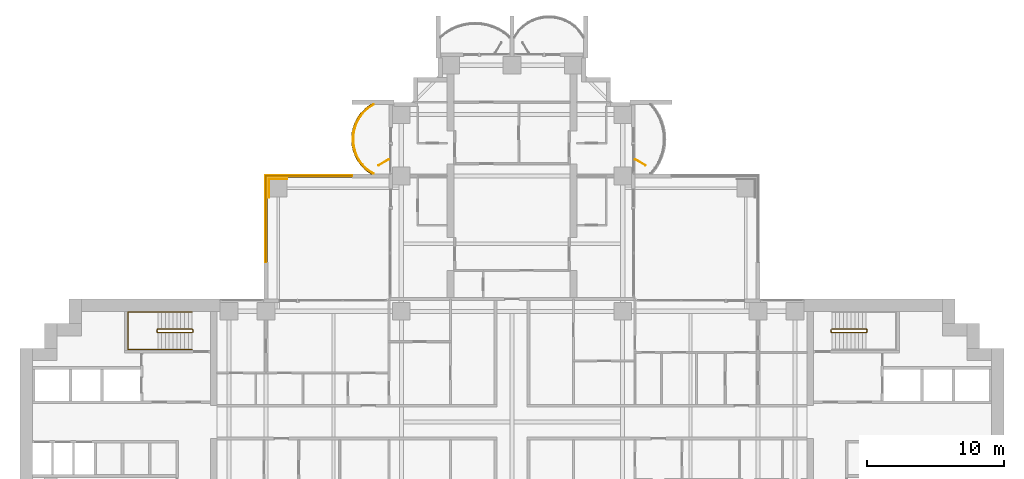
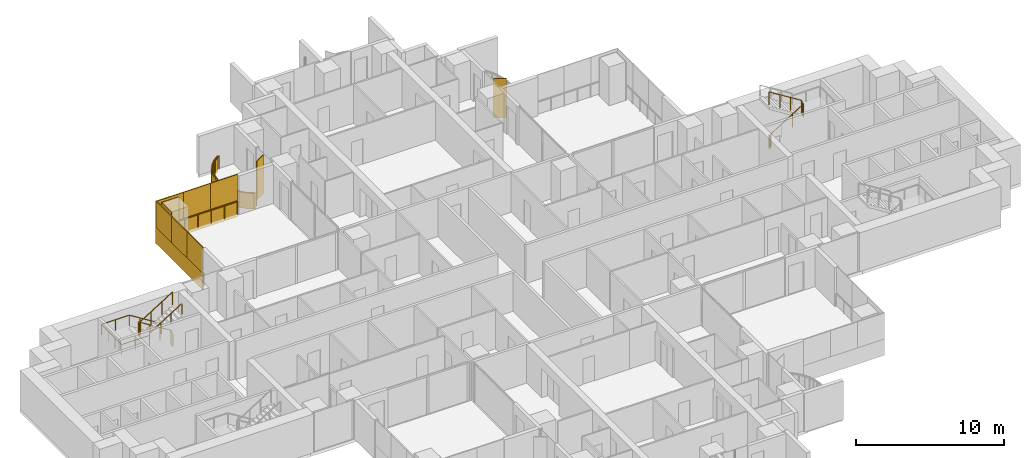
# One storey, part 19 of 21: 10 coverings, 5 railings, 2 shading devices.
"""IFC4 building model written with IfcOpenShell, lengths in metres."""

import ifcopenshell
import ifcopenshell.guid

model = None  # the IFC model being written
_history = None  # IfcOwnerHistory: only IFC2X3 demands one
_inside = {}  # id of a spatial element -> (the spatial element, [elements in it])
_under = {}  # id of a project, library or spatial element -> (it, [spatial elements below it])
_declared = {}  # id of a project -> (the project, [libraries it declares])
_typed = {}  # id of a type object -> (the type object, [elements of that type])
_made_of = {}  # id of a material, layer set ... -> (it, [elements and type objects made of it])


def new_model(schema):
    """Start an empty IFC model of exactly this schema.

    Asked for "IFC4X3", IfcOpenShell would pick the latest addendum, in which some entities
    have other attributes; the version numbers below select the first issue.
    IFC2X3 requires an IfcOwnerHistory on every rooted entity: one is made here for all.
    """
    global model, _history
    if schema == "IFC4X3":
        model = ifcopenshell.file(schema_version=(4, 3, 0, 0))
    else:
        model = ifcopenshell.file(schema=schema)
    _inside.clear()
    _under.clear()
    _declared.clear()
    _typed.clear()
    _made_of.clear()
    _history = None
    if model.schema == "IFC2X3":
        org = make("IfcOrganization", Name="unknown")
        user = make(
            "IfcPersonAndOrganization",
            ThePerson=make("IfcPerson", FamilyName="unknown"),
            TheOrganization=org,
        )
        app = make(
            "IfcApplication",
            ApplicationDeveloper=org,
            Version="unknown",
            ApplicationFullName="unknown",
            ApplicationIdentifier="unknown",
        )
        _history = make(
            "IfcOwnerHistory",
            OwningUser=user,
            OwningApplication=app,
            ChangeAction="ADDED",
            CreationDate=0,
        )
    return model


def make(cls, **values):
    """One entity of the class cls with the attributes given. An attribute that is None is left unset."""
    return model.create_entity(
        cls, **{name: value for name, value in values.items() if value is not None}
    )


def rooted(cls, **values):
    """An entity with a GlobalId (a new one), such as an element, a storey or a relation."""
    return make(cls, GlobalId=ifcopenshell.guid.new(), OwnerHistory=_history, **values)


def si_unit(unit_type, name, prefix=None):
    """IfcSIUnit, for example si_unit("LENGTHUNIT", "METRE", prefix="MILLI")."""
    return make("IfcSIUnit", UnitType=unit_type, Prefix=prefix, Name=name)


def assignment(units):
    """IfcUnitAssignment: the units of a project."""
    return None if units is None else make("IfcUnitAssignment", Units=units)


def point(xyz):
    """IfcCartesianPoint."""
    return None if xyz is None else make("IfcCartesianPoint", Coordinates=xyz)


def direction(xyz):
    """IfcDirection."""
    return None if xyz is None else make("IfcDirection", DirectionRatios=xyz)


def frame(location, z_axis=None, x_axis=None):
    """IfcAxis2Placement3D, a coordinate frame: its origin and axes. An axis left out is left unset."""
    return make(
        "IfcAxis2Placement3D",
        Location=point(location),
        Axis=direction(z_axis),
        RefDirection=direction(x_axis),
    )


def frame_2d(location, x_axis=None):
    """IfcAxis2Placement2D, a coordinate frame in the plane: its origin and x axis."""
    return make(
        "IfcAxis2Placement2D", Location=point(location), RefDirection=direction(x_axis)
    )


def origin():
    """The frame at (0, 0, 0) with its axes left unset."""
    return frame((0.0, 0.0, 0.0))


def origin_2d():
    """The frame at (0, 0) in the plane with its x axis left unset."""
    return frame_2d((0.0, 0.0))


def place(relative_to, where):
    """IfcLocalPlacement: puts the frame where relative to a parent placement (None: the world)."""
    return make(
        "IfcLocalPlacement", PlacementRelTo=relative_to, RelativePlacement=where
    )


def context(
    kind, dimensions, precision=None, world=None, true_north=None, identifier=None
):
    """IfcGeometricRepresentationContext, for example the 3D "Model" context."""
    return make(
        "IfcGeometricRepresentationContext",
        ContextIdentifier=identifier,
        ContextType=kind,
        CoordinateSpaceDimension=dimensions,
        Precision=precision,
        WorldCoordinateSystem=world,
        TrueNorth=true_north,
    )


def subcontext(parent, identifier, kind, view, scale=None):
    """IfcGeometricRepresentationSubContext, for example "Body" below "Model"."""
    return make(
        "IfcGeometricRepresentationSubContext",
        ContextIdentifier=identifier,
        ContextType=kind,
        ParentContext=parent,
        TargetScale=scale,
        TargetView=view,
    )


def project(units=None, contexts=None):
    """IfcProject with its units and contexts."""
    return rooted(
        "IfcProject",
        Name="project",
        RepresentationContexts=contexts,
        UnitsInContext=assignment(units),
    )


def spatial(cls, under=None, at=None, **own):
    """A site, building, storey or space (cls), placed at a placement, below another one or the project."""
    s = rooted(cls, ObjectPlacement=at, **own)
    if under is not None:
        _under.setdefault(under.id(), (under, []))[1].append(s)
    return s


def polyline(points):
    """IfcPolyline through the points."""
    return make("IfcPolyline", Points=[point(p) for p in points])


def profile(cls, at=None, kind="AREA", **sizes):
    """A parametric profile (cls). Its sizes go by their IFC names, for example OverallWidth=200.0."""
    return make(cls, ProfileType=kind, Position=at, **sizes)


def rectangle(**sizes):
    """IfcRectangleProfileDef."""
    return profile("IfcRectangleProfileDef", **sizes)


def outline(outer, holes=None, kind="AREA"):
    """IfcArbitraryClosedProfileDef: a profile drawn as a closed curve; with holes, ...WithVoids."""
    if holes is None:
        return make("IfcArbitraryClosedProfileDef", ProfileType=kind, OuterCurve=outer)
    return make(
        "IfcArbitraryProfileDefWithVoids",
        ProfileType=kind,
        OuterCurve=outer,
        InnerCurves=holes,
    )


def extrude(swept, where, along, depth):
    """IfcExtrudedAreaSolid: the profile swept, set in the frame where, extruded along a direction by depth."""
    return make(
        "IfcExtrudedAreaSolid",
        SweptArea=swept,
        Position=where,
        ExtrudedDirection=direction(along),
        Depth=depth,
    )


def shape(context_of_items, identifier, shape_type, items):
    """IfcShapeRepresentation: the items that make up one representation, for example the "Body"."""
    return make(
        "IfcShapeRepresentation",
        ContextOfItems=context_of_items,
        RepresentationIdentifier=identifier,
        RepresentationType=shape_type,
        Items=items,
    )


def material(Name=None, Category=None):
    """IfcMaterial."""
    return make("IfcMaterial", Name=Name, Category=Category)


def layer(
    of_material, thickness, ventilated=None, Name=None, Category=None, Priority=None
):
    """IfcMaterialLayer: one layer of a wall or slab, of a material (None: an air gap)."""
    return make(
        "IfcMaterialLayer",
        Material=of_material,
        LayerThickness=thickness,
        IsVentilated=ventilated,
        Name=Name,
        Category=Category,
        Priority=Priority,
    )


def layer_set(layers, Name=None):
    """IfcMaterialLayerSet."""
    return make("IfcMaterialLayerSet", MaterialLayers=layers, LayerSetName=Name)


def made_of(thing, what):
    """Note that an element or type object is made of a material, layer set ...; save() writes the relation."""
    if what is not None:
        _made_of.setdefault(what.id(), (what, []))[1].append(thing)
    return thing


def type_object(cls, material=None, **own):
    """A type object (cls), such as IfcWallType, which elements share."""
    return made_of(rooted(cls, **own), material)


def element(
    cls,
    number,
    at=None,
    inside=None,
    cuts=None,
    type_object=None,
    material=None,
    context=None,
    identifier="Body",
    shape_type=None,
    held_by="IfcProductDefinitionShape",
    body=None,
    shapes=None,
    **own,
):
    """One element of the class cls, such as IfcWall. Its Tag is "e" and its number.

    at: its placement. inside: the storey or other place that contains it. cuts: it is an
    opening in that element (IfcRelVoidsElement). A single representation is given by context,
    identifier, shape_type and body (its items); several are given by shapes. held_by: the class
    of the entity that holds the representations. save() writes the other relations.
    """
    e = rooted(cls, Tag="e%d" % number, ObjectPlacement=at, **own)
    if body is not None:
        shapes = [shape(context, identifier, shape_type, body)]
    if shapes is not None:
        e.Representation = make(held_by, Representations=shapes)
    if inside is not None:
        _inside.setdefault(inside.id(), (inside, []))[1].append(e)
    if cuts is not None:
        rooted(
            "IfcRelVoidsElement", RelatingBuildingElement=cuts, RelatedOpeningElement=e
        )
    if type_object is not None:
        _typed.setdefault(type_object.id(), (type_object, []))[1].append(e)
    return made_of(e, material)


def aggregate(whole, parts):
    """IfcRelAggregates: a whole, such as a stair, and the parts it consists of."""
    return rooted("IfcRelAggregates", RelatingObject=whole, RelatedObjects=parts)


def save(model, path):
    """Write the relations noted so far, then the file.

    IfcRelAggregates (storeys below a building ...), IfcRelContainedInSpatialStructure (elements
    in a storey), IfcRelDefinesByType, IfcRelAssociatesMaterial and IfcRelDeclares: one each for
    every whole, place, type object, material and project.
    """
    for whole, parts in _under.values():
        aggregate(whole, parts)
    for where, things in _inside.values():
        rooted(
            "IfcRelContainedInSpatialStructure",
            RelatedElements=things,
            RelatingStructure=where,
        )
    for kind, things in _typed.values():
        rooted("IfcRelDefinesByType", RelatedObjects=things, RelatingType=kind)
    for what, things in _made_of.values():
        rooted("IfcRelAssociatesMaterial", RelatedObjects=things, RelatingMaterial=what)
    for by, libraries in _declared.values():
        rooted("IfcRelDeclares", RelatingContext=by, RelatedDefinitions=libraries)
    model.write(path)


model = new_model("IFC4")

# Units and contexts
model_context = context("Model", 3, precision=1e-05, world=origin(), true_north=direction((0.0, 1.0)))
body_context = subcontext(model_context, "Body", "Model", "MODEL_VIEW")
ifc_project = project(units=[si_unit("LENGTHUNIT", "METRE"), si_unit("AREAUNIT", "SQUARE_METRE"), si_unit("VOLUMEUNIT", "CUBIC_METRE"), si_unit("PLANEANGLEUNIT", "RADIAN"), si_unit("MASSUNIT", "GRAM", prefix="KILO")], contexts=[model_context])

# Site, building, storey
site_placement = place(None, origin())
site = spatial("IfcSite", under=ifc_project, at=site_placement, CompositionType="ELEMENT")
building_placement = place(site_placement, origin())
building = spatial("IfcBuilding", under=site, at=building_placement, Name="Perihelion Cross Residences", CompositionType="ELEMENT")
storey_placement = place(building_placement, frame((0.0, 0.0, 89.0)))
storey = spatial("IfcBuildingStorey", under=building, at=storey_placement, Name="L20", CompositionType="ELEMENT", Elevation=89.0)

# Covering
ifc_material_1 = material(Name="Bronze anodised aluminium", Category="aluminium")
ifc_layer_1 = layer(ifc_material_1, 0.070068359375)
ifc_layer_set_1 = layer_set([ifc_layer_1], Name="Balcony fascia 1300")
covering_type_1 = type_object("IfcCoveringType", Name="Balcony fascia 1300", PredefinedType="CLADDING", material=ifc_layer_set_1)
covering_1_placement = place(storey_placement, frame((0.0, 0.0, -0.199951171875)))
element("IfcCovering", 1, at=covering_1_placement, inside=storey, type_object=covering_type_1, Name="Fascia BF1 L20 north side west bay 1", PredefinedType="CLADDING", context=body_context, shape_type="SweptSolid", body=[
    extrude(outline(polyline([(-10.722412109375, 22.963134765625), (-11.060791015625, 22.61474609375), (-11.308837890625, 22.2666015625), (-11.4912109375, 21.91845703125), (-11.620361328125, 21.5703125), (-11.703369140625, 21.22216796875), (-11.743896484375, 20.8740234375), (-11.743896484375, 20.52587890625), (-11.703369140625, 20.177734375), (-11.620361328125, 19.82958984375), (-11.4912109375, 19.4814453125), (-11.308837890625, 19.13330078125), (-11.060791015625, 18.78515625), (-10.722412109375, 18.43701171875), (-10.320556640625, 18.14990234375), (-10.199951171875, 18.14990234375), (-10.6767578125, 18.489990234375), (-11.007080078125, 18.830078125), (-11.2490234375, 19.169921875), (-11.42724609375, 19.510009765625), (-11.553466796875, 19.85009765625), (-11.63427734375, 20.18994140625), (-11.674072265625, 20.530029296875), (-11.674072265625, 20.8701171875), (-11.63427734375, 21.2099609375), (-11.553466796875, 21.550048828125), (-11.42724609375, 21.889892578125), (-11.2490234375, 22.22998046875), (-11.007080078125, 22.570068359375), (-10.6767578125, 22.909912109375), (-10.199951171875, 23.25), (-10.320556640625, 23.25), (-10.722412109375, 22.963134765625)])), origin(), (0.0, 0.0, 1.0), 1.300048828125),
])

# Railings
ifc_material_2 = material(Name="Bronze anodised aluminium", Category="aluminium")
railing_type_1 = type_object("IfcRailingType", Name="Balcony guard 1100", PredefinedType="GUARDRAIL", material=ifc_material_2)
railing_1_placement = place(storey_placement, frame((-10.139892578125, 23.22509765625, 0.0)))
element("IfcRailing", 2, at=railing_1_placement, inside=storey, type_object=railing_type_1, Name="Guard GU1 L20 north side west bay 1 balcony", PredefinedType="GUARDRAIL", context=body_context, shape_type="SweptSolid", body=[
    extrude(rectangle(XDim=0.048095703125, YDim=0.048095703125, at=origin_2d()), frame((0.0, 0.0, 1.076171875), z_axis=(-0.834212513801, -0.55144309028, 0.0), x_axis=(0.55144309028, -0.834212513801, 0.0)), (0.0, 0.0, 1.0), 0.571533203125),
    extrude(rectangle(XDim=0.048095703125, YDim=0.048095703125, at=origin_2d()), frame((-0.476806640625, -0.315185546875, 1.076171875), z_axis=(-0.696990112603, -0.717080736691, 0.0), x_axis=(0.717080736691, -0.696990112603, 0.0)), (0.0, 0.0, 1.0), 0.473876953125),
    extrude(rectangle(XDim=0.048095703125, YDim=0.048095703125, at=origin_2d()), frame((-0.80712890625, -0.655029296875, 1.076171875), z_axis=(-0.580075995532, -0.814562360662, 0.0), x_axis=(0.814562360662, -0.580075995532, 0.0)), (0.0, 0.0, 1.0), 0.41748046875),
    extrude(rectangle(XDim=0.048095703125, YDim=0.048095703125, at=origin_2d()), frame((-1.04931640625, -0.9951171875, 1.076171875), z_axis=(-0.463674228502, -0.886005761733, 0.0), x_axis=(0.886005761733, -0.463674228502, 0.0)), (0.0, 0.0, 1.0), 0.3837890625),
    extrude(rectangle(XDim=0.048095703125, YDim=0.048095703125, at=origin_2d()), frame((-1.227294921875, -1.335205078125, 1.076171875), z_axis=(-0.348169621027, -0.937431552165, 0.0), x_axis=(0.937431552165, -0.348169621027, 0.0)), (0.0, 0.0, 1.0), 0.362548828125),
    extrude(rectangle(XDim=0.048095703125, YDim=0.048095703125, at=origin_2d()), frame((-1.353515625, -1.675048828125, 1.076171875), z_axis=(-0.231840805498, -0.972753741142, 0.0), x_axis=(0.972753741142, -0.231840805498, 0.0)), (0.0, 0.0, 1.0), 0.349609375),
    extrude(rectangle(XDim=0.048095703125, YDim=0.048095703125, at=origin_2d()), frame((-1.4345703125, -2.01513671875, 1.076171875), z_axis=(-0.11559909788, -0.993295952156, 0.0), x_axis=(0.993295952156, -0.11559909788, 0.0)), (0.0, 0.0, 1.0), 0.342041015625),
    extrude(rectangle(XDim=0.048095703125, YDim=0.048095703125, at=origin_2d()), frame((-1.47412109375, -2.35498046875, 1.076171875), z_axis=(0.0, -1.0, 0.0), x_axis=(1.0, 0.0, 0.0)), (0.0, 0.0, 1.0), 0.340087890625),
    extrude(rectangle(XDim=0.048095703125, YDim=0.048095703125, at=origin_2d()), frame((-1.47412109375, -2.695068359375, 1.076171875), z_axis=(0.11551721994, -0.993305477634, 0.0), x_axis=(0.993305477634, 0.11551721994, 0.0)), (0.0, 0.0, 1.0), 0.34228515625),
    extrude(rectangle(XDim=0.048095703125, YDim=0.048095703125, at=origin_2d()), frame((-1.4345703125, -3.03515625, 1.076171875), z_axis=(0.231998396458, -0.972716168284, 0.0), x_axis=(0.972716168284, 0.231998396458, 0.0)), (0.0, 0.0, 1.0), 0.349365234375),
    extrude(rectangle(XDim=0.048095703125, YDim=0.048095703125, at=origin_2d()), frame((-1.353515625, -3.375, 1.076171875), z_axis=(0.347949948587, -0.93751311099, 0.0), x_axis=(0.93751311099, 0.347949948587, 0.0)), (0.0, 0.0, 1.0), 0.36279296875),
    extrude(rectangle(XDim=0.048095703125, YDim=0.048095703125, at=origin_2d()), frame((-1.227294921875, -3.715087890625, 1.076171875), z_axis=(0.463674228502, -0.886005761733, 0.0), x_axis=(0.886005761733, 0.463674228502, 0.0)), (0.0, 0.0, 1.0), 0.3837890625),
    extrude(rectangle(XDim=0.048095703125, YDim=0.048095703125, at=origin_2d()), frame((-1.04931640625, -4.05517578125, 1.076171875), z_axis=(0.580352394782, -0.814365457194, 0.0), x_axis=(0.814365457194, 0.580352394782, 0.0)), (0.0, 0.0, 1.0), 0.417236328125),
    extrude(rectangle(XDim=0.048095703125, YDim=0.048095703125, at=origin_2d()), frame((-0.80712890625, -4.39501953125, 1.076171875), z_axis=(0.69673269466, -0.717330852669, 0.0), x_axis=(0.717330852669, 0.69673269466, 0.0)), (0.0, 0.0, 1.0), 0.47412109375),
    extrude(rectangle(XDim=0.048095703125, YDim=0.048095703125, at=origin_2d()), frame((-0.476806640625, -4.735107421875, 1.076171875), z_axis=(0.834409002258, -0.551145731138, 0.0), x_axis=(0.551145731138, 0.834409002258, 0.0)), (0.0, 0.0, 1.0), 0.571533203125),
    extrude(rectangle(XDim=0.0419921875, YDim=0.0419921875, at=origin_2d()), origin(), (0.0, 0.0, 1.0), 1.052001953125),
    extrude(rectangle(XDim=0.0419921875, YDim=0.0419921875, at=origin_2d()), frame((-0.476806640625, -0.315185546875, 0.0)), (0.0, 0.0, 1.0), 1.052001953125),
    extrude(rectangle(XDim=0.0419921875, YDim=0.0419921875, at=origin_2d()), frame((-0.80712890625, -0.655029296875, 0.0)), (0.0, 0.0, 1.0), 1.052001953125),
    extrude(rectangle(XDim=0.0419921875, YDim=0.0419921875, at=origin_2d()), frame((-1.04931640625, -0.9951171875, 0.0)), (0.0, 0.0, 1.0), 1.052001953125),
    extrude(rectangle(XDim=0.0419921875, YDim=0.0419921875, at=origin_2d()), frame((-1.227294921875, -1.335205078125, 0.0)), (0.0, 0.0, 1.0), 1.052001953125),
    extrude(rectangle(XDim=0.0419921875, YDim=0.0419921875, at=origin_2d()), frame((-1.353515625, -1.675048828125, 0.0)), (0.0, 0.0, 1.0), 1.052001953125),
    extrude(rectangle(XDim=0.0419921875, YDim=0.0419921875, at=origin_2d()), frame((-1.4345703125, -2.01513671875, 0.0)), (0.0, 0.0, 1.0), 1.052001953125),
    extrude(rectangle(XDim=0.0419921875, YDim=0.0419921875, at=origin_2d()), frame((-1.47412109375, -2.35498046875, 0.0)), (0.0, 0.0, 1.0), 1.052001953125),
    extrude(rectangle(XDim=0.0419921875, YDim=0.0419921875, at=origin_2d()), frame((-1.47412109375, -2.695068359375, 0.0)), (0.0, 0.0, 1.0), 1.052001953125),
    extrude(rectangle(XDim=0.0419921875, YDim=0.0419921875, at=origin_2d()), frame((-1.4345703125, -3.03515625, 0.0)), (0.0, 0.0, 1.0), 1.052001953125),
    extrude(rectangle(XDim=0.0419921875, YDim=0.0419921875, at=origin_2d()), frame((-1.353515625, -3.375, 0.0)), (0.0, 0.0, 1.0), 1.052001953125),
    extrude(rectangle(XDim=0.0419921875, YDim=0.0419921875, at=origin_2d()), frame((-1.227294921875, -3.715087890625, 0.0)), (0.0, 0.0, 1.0), 1.052001953125),
    extrude(rectangle(XDim=0.0419921875, YDim=0.0419921875, at=origin_2d()), frame((-1.04931640625, -4.05517578125, 0.0)), (0.0, 0.0, 1.0), 1.052001953125),
    extrude(rectangle(XDim=0.0419921875, YDim=0.0419921875, at=origin_2d()), frame((-0.80712890625, -4.39501953125, 0.0)), (0.0, 0.0, 1.0), 1.052001953125),
    extrude(rectangle(XDim=0.0419921875, YDim=0.0419921875, at=origin_2d()), frame((-0.476806640625, -4.735107421875, 0.0)), (0.0, 0.0, 1.0), 1.052001953125),
    extrude(rectangle(XDim=0.0419921875, YDim=0.0419921875, at=origin_2d()), frame((0.0, -5.050048828125, 0.0)), (0.0, 0.0, 1.0), 1.052001953125),
])
railing_2_placement = place(storey_placement, frame((-17.93994140625, 11.739990234375, 0.0)))
element("IfcRailing", 3, at=railing_2_placement, inside=storey, type_object=railing_type_1, Name="Guard GU1 L20 pocket north-west 1", PredefinedType="GUARDRAIL", context=body_context, shape_type="SweptSolid", body=[
    extrude(rectangle(XDim=0.048095703125, YDim=0.048095703125, at=origin_2d()), frame((0.0, 0.0, 1.076171875), z_axis=(0.0, 1.0, 0.0), x_axis=(-1.0, 0.0, 0.0)), (0.0, 0.0, 1.0), 6.199951171875),
    extrude(rectangle(XDim=0.048095703125, YDim=0.048095703125, at=origin_2d()), frame((0.0, 6.199951171875, 1.076171875), z_axis=(1.0, 0.0, 0.0), x_axis=(0.0, 1.0, 0.0)), (0.0, 0.0, 1.0), 6.199951171875),
    extrude(rectangle(XDim=0.0419921875, YDim=0.0419921875, at=origin_2d()), origin(), (0.0, 0.0, 1.0), 1.052001953125),
    extrude(rectangle(XDim=0.0419921875, YDim=0.0419921875, at=origin_2d()), frame((0.0, 1.033203125, 0.0)), (0.0, 0.0, 1.0), 1.052001953125),
    extrude(rectangle(XDim=0.0419921875, YDim=0.0419921875, at=origin_2d()), frame((0.0, 2.066650390625, 0.0)), (0.0, 0.0, 1.0), 1.052001953125),
    extrude(rectangle(XDim=0.0419921875, YDim=0.0419921875, at=origin_2d()), frame((0.0, 3.10009765625, 0.0)), (0.0, 0.0, 1.0), 1.052001953125),
    extrude(rectangle(XDim=0.0419921875, YDim=0.0419921875, at=origin_2d()), frame((0.0, 4.13330078125, 0.0)), (0.0, 0.0, 1.0), 1.052001953125),
    extrude(rectangle(XDim=0.0419921875, YDim=0.0419921875, at=origin_2d()), frame((0.0, 5.16650390625, 0.0)), (0.0, 0.0, 1.0), 1.052001953125),
    extrude(rectangle(XDim=0.0419921875, YDim=0.0419921875, at=origin_2d()), frame((0.0, 6.199951171875, 0.0)), (0.0, 0.0, 1.0), 1.052001953125),
    extrude(rectangle(XDim=0.0419921875, YDim=0.0419921875, at=origin_2d()), frame((1.033203125, 6.199951171875, 0.0)), (0.0, 0.0, 1.0), 1.052001953125),
    extrude(rectangle(XDim=0.0419921875, YDim=0.0419921875, at=origin_2d()), frame((2.066650390625, 6.199951171875, 0.0)), (0.0, 0.0, 1.0), 1.052001953125),
    extrude(rectangle(XDim=0.0419921875, YDim=0.0419921875, at=origin_2d()), frame((3.10009765625, 6.199951171875, 0.0)), (0.0, 0.0, 1.0), 1.052001953125),
    extrude(rectangle(XDim=0.0419921875, YDim=0.0419921875, at=origin_2d()), frame((4.13330078125, 6.199951171875, 0.0)), (0.0, 0.0, 1.0), 1.052001953125),
    extrude(rectangle(XDim=0.0419921875, YDim=0.0419921875, at=origin_2d()), frame((5.16650390625, 6.199951171875, 0.0)), (0.0, 0.0, 1.0), 1.052001953125),
    extrude(rectangle(XDim=0.0419921875, YDim=0.0419921875, at=origin_2d()), frame((6.199951171875, 6.199951171875, 0.0)), (0.0, 0.0, 1.0), 1.052001953125),
])

# Coverings
ifc_material_3 = material(Name="Bronze anodised aluminium", Category="aluminium")
ifc_layer_2 = layer(ifc_material_3, 0.0400390625)
ifc_layer_set_2 = layer_set([ifc_layer_2], Name="Bronze column casing 40")
covering_type_2 = type_object("IfcCoveringType", Name="Bronze column casing 40", PredefinedType="CLADDING", material=ifc_layer_set_2)
covering_2_placement = place(storey_placement, frame((-17.77001953125, 17.10009765625, -0.25), z_axis=(0.0, 0.0, 1.0), x_axis=(1.0, 0.0, 0.0)))
element("IfcCovering", 4, at=covering_2_placement, inside=storey, type_object=covering_type_2, Name="Cladding CC1 L20 casing east-west no. 2", PredefinedType="CLADDING", context=body_context, shape_type="SweptSolid", body=[
    extrude(rectangle(XDim=0.0400390625, YDim=1.3798828125, at=origin_2d()), origin(), (0.0, 0.0, 1.0), 3.449951171875),
])
covering_3_placement = place(storey_placement, frame((-17.10009765625, 17.77001953125, -0.25), z_axis=(0.0, 0.0, 1.0), x_axis=(1.0, 0.0, 0.0)))
element("IfcCovering", 5, at=covering_3_placement, inside=storey, type_object=covering_type_2, Name="Cladding CC1 L20 casing north-south no. 2", PredefinedType="CLADDING", context=body_context, shape_type="SweptSolid", body=[
    extrude(rectangle(XDim=1.300048828125, YDim=0.0400390625, at=origin_2d()), origin(), (0.0, 0.0, 1.0), 3.449951171875),
])

# Shading devices
ifc_material_4 = material(Name="Bronze anodised aluminium", Category="aluminium")
ifc_layer_3 = layer(ifc_material_4, 0.050048828125)
ifc_layer_set_3 = layer_set([ifc_layer_3], Name="Bronze fin 900")
shading_device_type = type_object("IfcShadingDeviceType", Name="Bronze fin 900", PredefinedType="USERDEFINED", material=ifc_layer_set_3)
for number, where, z_axis, x_axis, name in (
    (6, (9.3896484375, 19.0, 0.0), (0.0, 0.0, 1.0), (0.866025403784, -0.5, 0.0), "Fin FN1 L20 north side east bay 2"),
    (7, (-9.3896484375, 19.0, 0.0), (0.0, 0.0, 1.0), (-0.866025403784, -0.5, 0.0), "Fin FN1 L20 north side west bay 1"),
):
    element("IfcShadingDevice", number, at=place(storey_placement, frame(where, z_axis=z_axis, x_axis=x_axis)), inside=storey, type_object=shading_device_type, Name=name, ObjectType="FIN", PredefinedType="USERDEFINED", context=body_context, shape_type="SweptSolid", body=[
        extrude(rectangle(XDim=0.89990234375, YDim=0.050048828125, at=origin_2d()), origin(), (0.0, 0.0, 1.0), 3.199951171875),
    ])

# Coverings
ifc_material_5 = material(Name="Bronze anodised aluminium", Category="aluminium")
ifc_layer_4 = layer(ifc_material_5, 0.070068359375)
ifc_layer_set_4 = layer_set([ifc_layer_4], Name="Pocket fascia 1350")
covering_type_3 = type_object("IfcCoveringType", Name="Pocket fascia 1350", PredefinedType="CLADDING", material=ifc_layer_set_4)
covering_4_placement = place(storey_placement, frame((0.0, 0.0, -0.25)))
element("IfcCovering", 8, at=covering_4_placement, inside=storey, type_object=covering_type_3, Name="Fascia BF2 L20 pocket north-west 3", PredefinedType="CLADDING", context=body_context, shape_type="SweptSolid", body=[
    extrude(outline(polyline([(-18.070068359375, 18.070068359375), (-18.070068359375, 11.699951171875), (-18.0, 11.699951171875), (-18.0, 18.0), (-11.699951171875, 18.0), (-11.699951171875, 18.070068359375), (-18.070068359375, 18.070068359375)])), origin(), (0.0, 0.0, 1.0), 1.35009765625),
])
ifc_material_6 = material(Name="Bronze perforated aluminium", Category="aluminium")
ifc_layer_5 = layer(ifc_material_6, 0.070068359375)
ifc_layer_set_5 = layer_set([ifc_layer_5], Name="Pocket solar screen, bronze perforated")
covering_type_4 = type_object("IfcCoveringType", Name="Pocket solar screen, bronze perforated", PredefinedType="CLADDING", material=ifc_layer_set_5)
covering_5_placement = place(storey_placement, frame((0.0, 0.0, 1.10009765625)))
element("IfcCovering", 9, at=covering_5_placement, inside=storey, type_object=covering_type_4, Name="Solar screen PS1 L20 pocket north-west no. 1", PredefinedType="CLADDING", context=body_context, shape_type="SweptSolid", body=[
    extrude(outline(polyline([(-18.0, 11.699951171875), (-18.0, 13.800048828125), (-18.070068359375, 13.800048828125), (-18.070068359375, 11.699951171875), (-18.0, 11.699951171875)])), origin(), (0.0, 0.0, 1.0), 2.14990234375),
])
covering_6_placement = place(storey_placement, frame((0.0, 0.0, 1.10009765625)))
element("IfcCovering", 10, at=covering_6_placement, inside=storey, type_object=covering_type_4, Name="Solar screen PS1 L20 pocket north-west no. 2", PredefinedType="CLADDING", context=body_context, shape_type="SweptSolid", body=[
    extrude(outline(polyline([(-18.0, 13.800048828125), (-18.0, 15.89990234375), (-18.070068359375, 15.89990234375), (-18.070068359375, 13.800048828125), (-18.0, 13.800048828125)])), origin(), (0.0, 0.0, 1.0), 2.14990234375),
])
covering_7_placement = place(storey_placement, frame((0.0, 0.0, 1.10009765625)))
element("IfcCovering", 11, at=covering_7_placement, inside=storey, type_object=covering_type_4, Name="Solar screen PS1 L20 pocket north-west no. 3", PredefinedType="CLADDING", context=body_context, shape_type="SweptSolid", body=[
    extrude(outline(polyline([(-18.0, 15.89990234375), (-18.0, 18.0), (-18.070068359375, 18.0), (-18.070068359375, 15.89990234375), (-18.0, 15.89990234375)])), origin(), (0.0, 0.0, 1.0), 2.14990234375),
])
covering_8_placement = place(storey_placement, frame((0.0, 0.0, 1.10009765625)))
element("IfcCovering", 12, at=covering_8_placement, inside=storey, type_object=covering_type_4, Name="Solar screen PS1 L20 pocket north-west no. 4", PredefinedType="CLADDING", context=body_context, shape_type="SweptSolid", body=[
    extrude(outline(polyline([(-15.94677734375, 18.0), (-15.94677734375, 18.070068359375), (-18.070068359375, 18.070068359375), (-18.070068359375, 18.0), (-15.94677734375, 18.0)])), origin(), (0.0, 0.0, 1.0), 2.14990234375),
])
covering_9_placement = place(storey_placement, frame((0.0, 0.0, 1.10009765625)))
element("IfcCovering", 13, at=covering_9_placement, inside=storey, type_object=covering_type_4, Name="Solar screen PS1 L20 pocket north-west no. 5", PredefinedType="CLADDING", context=body_context, shape_type="SweptSolid", body=[
    extrude(outline(polyline([(-13.8232421875, 18.0), (-13.8232421875, 18.070068359375), (-15.94677734375, 18.070068359375), (-15.94677734375, 18.0), (-13.8232421875, 18.0)])), origin(), (0.0, 0.0, 1.0), 2.14990234375),
])
covering_10_placement = place(storey_placement, frame((0.0, 0.0, 1.10009765625)))
element("IfcCovering", 14, at=covering_10_placement, inside=storey, type_object=covering_type_4, Name="Solar screen PS1 L20 pocket north-west no. 6", PredefinedType="CLADDING", context=body_context, shape_type="SweptSolid", body=[
    extrude(outline(polyline([(-11.699951171875, 18.0), (-11.699951171875, 18.070068359375), (-13.8232421875, 18.070068359375), (-13.8232421875, 18.0), (-11.699951171875, 18.0)])), origin(), (0.0, 0.0, 1.0), 2.14990234375),
])

# Railings
ifc_material_7 = material(Name="Stainless steel", Category="steel")
railing_type_2 = type_object("IfcRailingType", Name="Stair guard 1100", PredefinedType="GUARDRAIL", material=ifc_material_7)
railing_3_placement = place(storey_placement, frame((23.35009765625, 6.75, 0.0)))
element("IfcRailing", 15, at=railing_3_placement, inside=storey, type_object=railing_type_2, Name="L20 ST-E1 stair guard 1", PredefinedType="GUARDRAIL", context=body_context, shape_type="SweptSolid", body=[
    extrude(rectangle(XDim=0.048095703125, YDim=0.048095703125, at=origin_2d()), frame((0.0, 0.0, 1.076171875), z_axis=(0.0, -1.0, 0.0), x_axis=(1.0, 0.0, 0.0)), (0.0, 0.0, 1.0), 0.14990234375),
    extrude(rectangle(XDim=0.048095703125, YDim=0.048095703125, at=origin_2d()), frame((0.0, -0.14990234375, 1.076171875), z_axis=(0.263862480399, -0.265155923931, 0.927399011991), x_axis=(0.708833529934, 0.705375805398, 0.0)), (0.0, 0.0, 1.0), 0.188720703125),
    extrude(rectangle(XDim=0.048095703125, YDim=0.048095703125, at=origin_2d()), frame((0.0498046875, -0.199951171875, 1.2509765625), z_axis=(0.848007534815, 0.0, 0.529984170421), x_axis=(0.0, 1.0, 0.0)), (0.0, 0.0, 1.0), 2.9716796875),
    extrude(rectangle(XDim=0.048095703125, YDim=0.048095703125, at=origin_2d()), frame((2.56982421875, -0.199951171875, 2.826171875), z_axis=(0.707106781187, 0.707106781187, 0.0), x_axis=(-0.707106781187, 0.707106781187, 0.0)), (0.0, 0.0, 1.0), 0.07080078125),
    extrude(rectangle(XDim=0.048095703125, YDim=0.048095703125, at=origin_2d()), frame((2.619873046875, -0.14990234375, 2.826171875), z_axis=(0.0, 1.0, 0.0), x_axis=(-1.0, 0.0, 0.0)), (0.0, 0.0, 1.0), 0.14990234375),
    extrude(rectangle(XDim=0.048095703125, YDim=0.048095703125, at=origin_2d()), frame((2.619873046875, 0.0, 2.826171875), z_axis=(-0.265065253269, 0.265065253269, 0.927081885822), x_axis=(-0.707106781187, -0.707106781187, 0.0)), (0.0, 0.0, 1.0), 0.188720703125),
    extrude(rectangle(XDim=0.048095703125, YDim=0.048095703125, at=origin_2d()), frame((2.56982421875, 0.050048828125, 3.0009765625), z_axis=(-0.848007534815, 0.0, 0.529984170421), x_axis=(0.0, -1.0, 0.0)), (0.0, 0.0, 1.0), 2.9716796875),
    extrude(rectangle(XDim=0.0419921875, YDim=0.0419921875, at=origin_2d()), origin(), (0.0, 0.0, 1.0), 1.052001953125),
    extrude(rectangle(XDim=0.0419921875, YDim=0.0419921875, at=origin_2d()), frame((0.0, -0.14990234375, 0.0)), (0.0, 0.0, 1.0), 1.052001953125),
    extrude(rectangle(XDim=0.0419921875, YDim=0.0419921875, at=origin_2d()), frame((0.0498046875, -0.199951171875, 0.175048828125)), (0.0, 0.0, 1.0), 1.052001953125),
    extrude(rectangle(XDim=0.0419921875, YDim=0.0419921875, at=origin_2d()), frame((0.889892578125, -0.199951171875, 0.699951171875)), (0.0, 0.0, 1.0), 1.052001953125),
    extrude(rectangle(XDim=0.0419921875, YDim=0.0419921875, at=origin_2d()), frame((1.729736328125, -0.199951171875, 1.22509765625)), (0.0, 0.0, 1.0), 1.052001953125),
    extrude(rectangle(XDim=0.0419921875, YDim=0.0419921875, at=origin_2d()), frame((2.56982421875, -0.199951171875, 1.75)), (0.0, 0.0, 1.0), 1.052001953125),
    extrude(rectangle(XDim=0.0419921875, YDim=0.0419921875, at=origin_2d()), frame((2.619873046875, -0.14990234375, 1.75)), (0.0, 0.0, 1.0), 1.052001953125),
    extrude(rectangle(XDim=0.0419921875, YDim=0.0419921875, at=origin_2d()), frame((2.619873046875, 0.0, 1.75)), (0.0, 0.0, 1.0), 1.052001953125),
    extrude(rectangle(XDim=0.0419921875, YDim=0.0419921875, at=origin_2d()), frame((2.56982421875, 0.050048828125, 1.925048828125)), (0.0, 0.0, 1.0), 1.052001953125),
    extrude(rectangle(XDim=0.0419921875, YDim=0.0419921875, at=origin_2d()), frame((1.729736328125, 0.050048828125, 2.449951171875)), (0.0, 0.0, 1.0), 1.052001953125),
    extrude(rectangle(XDim=0.0419921875, YDim=0.0419921875, at=origin_2d()), frame((0.889892578125, 0.050048828125, 2.97509765625)), (0.0, 0.0, 1.0), 1.052001953125),
    extrude(rectangle(XDim=0.0419921875, YDim=0.0419921875, at=origin_2d()), frame((0.0498046875, 0.050048828125, 3.5)), (0.0, 0.0, 1.0), 1.052001953125),
])
railing_4_placement = place(storey_placement, frame((-23.35009765625, 6.60009765625, 0.0)))
element("IfcRailing", 16, at=railing_4_placement, inside=storey, type_object=railing_type_2, Name="L20 ST-W1 stair guard 1", PredefinedType="GUARDRAIL", context=body_context, shape_type="SweptSolid", body=[
    extrude(rectangle(XDim=0.048095703125, YDim=0.048095703125, at=origin_2d()), frame((0.0, 0.0, 1.076171875), z_axis=(0.0, 1.0, 0.0), x_axis=(-1.0, 0.0, 0.0)), (0.0, 0.0, 1.0), 0.14990234375),
    extrude(rectangle(XDim=0.048095703125, YDim=0.048095703125, at=origin_2d()), frame((0.0, 0.14990234375, 1.076171875), z_axis=(-0.263862480399, 0.265155923931, 0.927399011991), x_axis=(-0.708833529934, -0.705375805398, 0.0)), (0.0, 0.0, 1.0), 0.188720703125),
    extrude(rectangle(XDim=0.048095703125, YDim=0.048095703125, at=origin_2d()), frame((-0.0498046875, 0.199951171875, 1.2509765625), z_axis=(-0.848007534815, 0.0, 0.529984170421), x_axis=(0.0, -1.0, 0.0)), (0.0, 0.0, 1.0), 2.9716796875),
    extrude(rectangle(XDim=0.048095703125, YDim=0.048095703125, at=origin_2d()), frame((-2.56982421875, 0.199951171875, 2.826171875), z_axis=(-0.707106781187, -0.707106781187, 0.0), x_axis=(0.707106781187, -0.707106781187, 0.0)), (0.0, 0.0, 1.0), 0.07080078125),
    extrude(rectangle(XDim=0.048095703125, YDim=0.048095703125, at=origin_2d()), frame((-2.619873046875, 0.14990234375, 2.826171875), z_axis=(0.0, -1.0, 0.0), x_axis=(1.0, 0.0, 0.0)), (0.0, 0.0, 1.0), 0.14990234375),
    extrude(rectangle(XDim=0.048095703125, YDim=0.048095703125, at=origin_2d()), frame((-2.619873046875, 0.0, 2.826171875), z_axis=(0.265065253269, -0.265065253269, 0.927081885822), x_axis=(0.707106781187, 0.707106781187, 0.0)), (0.0, 0.0, 1.0), 0.188720703125),
    extrude(rectangle(XDim=0.048095703125, YDim=0.048095703125, at=origin_2d()), frame((-2.56982421875, -0.050048828125, 3.0009765625), z_axis=(0.848007534815, 0.0, 0.529984170421), x_axis=(0.0, 1.0, 0.0)), (0.0, 0.0, 1.0), 2.9716796875),
    extrude(rectangle(XDim=0.0419921875, YDim=0.0419921875, at=origin_2d()), origin(), (0.0, 0.0, 1.0), 1.052001953125),
    extrude(rectangle(XDim=0.0419921875, YDim=0.0419921875, at=origin_2d()), frame((0.0, 0.14990234375, 0.0)), (0.0, 0.0, 1.0), 1.052001953125),
    extrude(rectangle(XDim=0.0419921875, YDim=0.0419921875, at=origin_2d()), frame((-0.0498046875, 0.199951171875, 0.175048828125)), (0.0, 0.0, 1.0), 1.052001953125),
    extrude(rectangle(XDim=0.0419921875, YDim=0.0419921875, at=origin_2d()), frame((-0.889892578125, 0.199951171875, 0.699951171875)), (0.0, 0.0, 1.0), 1.052001953125),
    extrude(rectangle(XDim=0.0419921875, YDim=0.0419921875, at=origin_2d()), frame((-1.729736328125, 0.199951171875, 1.22509765625)), (0.0, 0.0, 1.0), 1.052001953125),
    extrude(rectangle(XDim=0.0419921875, YDim=0.0419921875, at=origin_2d()), frame((-2.56982421875, 0.199951171875, 1.75)), (0.0, 0.0, 1.0), 1.052001953125),
    extrude(rectangle(XDim=0.0419921875, YDim=0.0419921875, at=origin_2d()), frame((-2.619873046875, 0.14990234375, 1.75)), (0.0, 0.0, 1.0), 1.052001953125),
    extrude(rectangle(XDim=0.0419921875, YDim=0.0419921875, at=origin_2d()), frame((-2.619873046875, 0.0, 1.75)), (0.0, 0.0, 1.0), 1.052001953125),
    extrude(rectangle(XDim=0.0419921875, YDim=0.0419921875, at=origin_2d()), frame((-2.56982421875, -0.050048828125, 1.925048828125)), (0.0, 0.0, 1.0), 1.052001953125),
    extrude(rectangle(XDim=0.0419921875, YDim=0.0419921875, at=origin_2d()), frame((-1.729736328125, -0.050048828125, 2.449951171875)), (0.0, 0.0, 1.0), 1.052001953125),
    extrude(rectangle(XDim=0.0419921875, YDim=0.0419921875, at=origin_2d()), frame((-0.889892578125, -0.050048828125, 2.97509765625)), (0.0, 0.0, 1.0), 1.052001953125),
    extrude(rectangle(XDim=0.0419921875, YDim=0.0419921875, at=origin_2d()), frame((-0.0498046875, -0.050048828125, 3.5)), (0.0, 0.0, 1.0), 1.052001953125),
])
ifc_material_8 = material(Name="Stainless steel", Category="steel")
railing_type_3 = type_object("IfcRailingType", Name="Stair handrail 900", PredefinedType="HANDRAIL", material=ifc_material_8)
railing_5_placement = place(storey_placement, frame((-23.39990234375, 8.050048828125, 0.175048828125)))
element("IfcRailing", 17, at=railing_5_placement, inside=storey, type_object=railing_type_3, Name="L20 ST-W1 stair handrail 1", PredefinedType="HANDRAIL", context=body_context, shape_type="SweptSolid", body=[
    extrude(rectangle(XDim=0.048095703125, YDim=0.048095703125, at=origin_2d()), frame((0.0, 0.0, 0.8759765625), z_axis=(-0.848007534815, 0.0, 0.529984170421), x_axis=(0.0, -1.0, 0.0)), (0.0, 0.0, 1.0), 2.9716796875),
    extrude(rectangle(XDim=0.048095703125, YDim=0.048095703125, at=origin_2d()), frame((-2.52001953125, 0.0, 2.45068359375), z_axis=(-1.0, 0.0, 0.0), x_axis=(0.0, -1.0, 0.0)), (0.0, 0.0, 1.0), 2.18017578125),
    extrude(rectangle(XDim=0.048095703125, YDim=0.048095703125, at=origin_2d()), frame((-4.7001953125, 0.0, 2.45068359375), z_axis=(0.0, -1.0, 0.0), x_axis=(1.0, 0.0, 0.0)), (0.0, 0.0, 1.0), 2.75),
    extrude(rectangle(XDim=0.048095703125, YDim=0.048095703125, at=origin_2d()), frame((-4.7001953125, -2.75, 2.45068359375), z_axis=(1.0, 0.0, 0.0), x_axis=(0.0, 1.0, 0.0)), (0.0, 0.0, 1.0), 2.18017578125),
    extrude(rectangle(XDim=0.048095703125, YDim=0.048095703125, at=origin_2d()), frame((-2.52001953125, -2.75, 2.45068359375), z_axis=(0.0, 0.0, 1.0), x_axis=(1.0, 0.0, 0.0)), (0.0, 0.0, 1.0), 0.175048828125),
    extrude(rectangle(XDim=0.048095703125, YDim=0.048095703125, at=origin_2d()), frame((-2.52001953125, -2.75, 2.6259765625), z_axis=(0.848007534815, 0.0, 0.529984170421), x_axis=(0.0, 1.0, 0.0)), (0.0, 0.0, 1.0), 2.9716796875),
    extrude(rectangle(XDim=0.0419921875, YDim=0.0419921875, at=origin_2d()), origin(), (0.0, 0.0, 1.0), 0.851806640625),
    extrude(rectangle(XDim=0.0419921875, YDim=0.0419921875, at=origin_2d()), frame((-0.840087890625, 0.0, 0.52490234375)), (0.0, 0.0, 1.0), 0.851806640625),
    extrude(rectangle(XDim=0.0419921875, YDim=0.0419921875, at=origin_2d()), frame((-1.679931640625, 0.0, 1.050048828125)), (0.0, 0.0, 1.0), 0.851806640625),
    extrude(rectangle(XDim=0.0419921875, YDim=0.0419921875, at=origin_2d()), frame((-2.52001953125, 0.0, 1.574951171875)), (0.0, 0.0, 1.0), 0.851806640625),
    extrude(rectangle(XDim=0.0419921875, YDim=0.0419921875, at=origin_2d()), frame((-3.610107421875, 0.0, 1.574951171875)), (0.0, 0.0, 1.0), 0.851806640625),
    extrude(rectangle(XDim=0.0419921875, YDim=0.0419921875, at=origin_2d()), frame((-4.7001953125, 0.0, 1.574951171875)), (0.0, 0.0, 1.0), 0.851806640625),
    extrude(rectangle(XDim=0.0419921875, YDim=0.0419921875, at=origin_2d()), frame((-4.7001953125, -0.916748046875, 1.574951171875)), (0.0, 0.0, 1.0), 0.851806640625),
    extrude(rectangle(XDim=0.0419921875, YDim=0.0419921875, at=origin_2d()), frame((-4.7001953125, -1.833251953125, 1.574951171875)), (0.0, 0.0, 1.0), 0.851806640625),
    extrude(rectangle(XDim=0.0419921875, YDim=0.0419921875, at=origin_2d()), frame((-4.7001953125, -2.75, 1.574951171875)), (0.0, 0.0, 1.0), 0.851806640625),
    extrude(rectangle(XDim=0.0419921875, YDim=0.0419921875, at=origin_2d()), frame((-3.610107421875, -2.75, 1.574951171875)), (0.0, 0.0, 1.0), 0.851806640625),
    extrude(rectangle(XDim=0.0419921875, YDim=0.0419921875, at=origin_2d()), frame((-2.52001953125, -2.75, 1.574951171875)), (0.0, 0.0, 1.0), 0.851806640625),
    extrude(rectangle(XDim=0.0419921875, YDim=0.0419921875, at=origin_2d()), frame((-2.52001953125, -2.75, 1.75)), (0.0, 0.0, 1.0), 0.851806640625),
    extrude(rectangle(XDim=0.0419921875, YDim=0.0419921875, at=origin_2d()), frame((-1.679931640625, -2.75, 2.27490234375)), (0.0, 0.0, 1.0), 0.851806640625),
    extrude(rectangle(XDim=0.0419921875, YDim=0.0419921875, at=origin_2d()), frame((-0.840087890625, -2.75, 2.800048828125)), (0.0, 0.0, 1.0), 0.851806640625),
    extrude(rectangle(XDim=0.0419921875, YDim=0.0419921875, at=origin_2d()), frame((0.0, -2.75, 3.324951171875)), (0.0, 0.0, 1.0), 0.851806640625),
])

save(model, "model.ifc")
